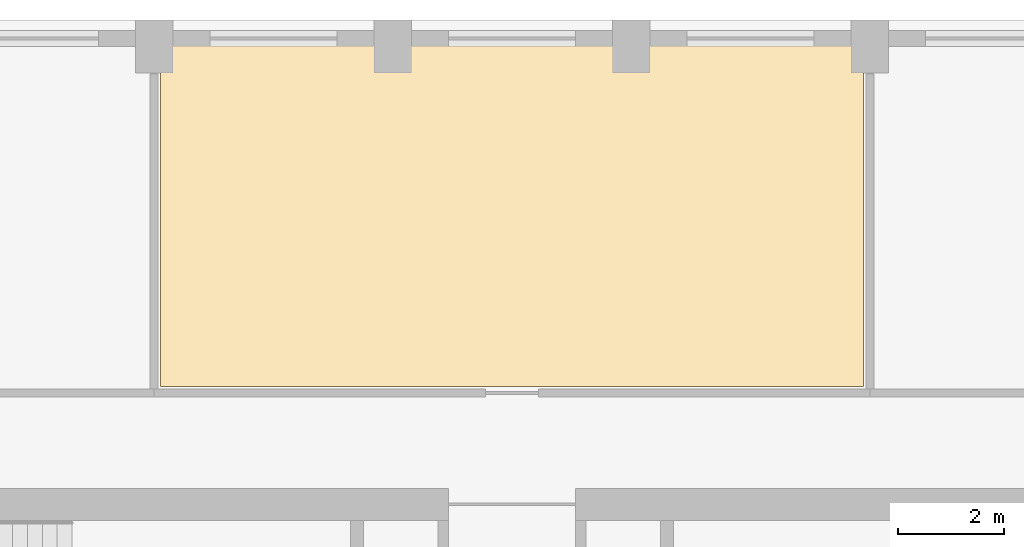
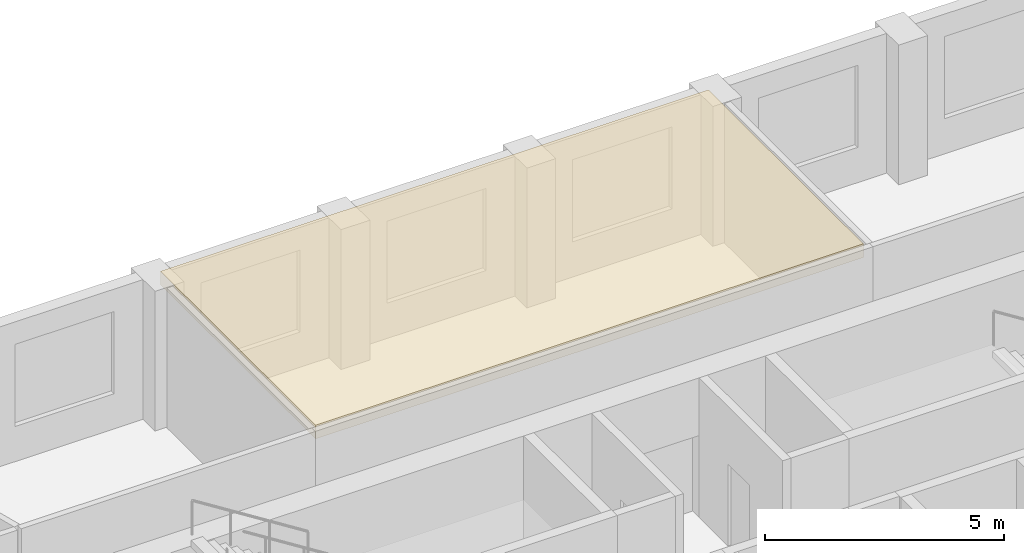
# One storey, part 10 of 10: 1 covering.
"""IFC4 building model written with IfcOpenShell, lengths in metres."""

from ifc_helpers import new_model, si_unit, direction, frame, origin, place, context, subcontext, project, spatial, polyline, outline, extrude, material, layer, layer_set, type_object, element, save


model = new_model("IFC4")

# Units and contexts
model_context = context("Model", 3, precision=1e-05, world=origin(), true_north=direction((0.0, 1.0)))
body_context = subcontext(model_context, "Body", "Model", "MODEL_VIEW")
ifc_project = project(units=[si_unit("LENGTHUNIT", "METRE"), si_unit("AREAUNIT", "SQUARE_METRE"), si_unit("VOLUMEUNIT", "CUBIC_METRE"), si_unit("PLANEANGLEUNIT", "RADIAN"), si_unit("MASSUNIT", "GRAM", prefix="KILO")], contexts=[model_context])

# Site, building, storey
site_placement = place(None, origin())
site = spatial("IfcSite", under=ifc_project, at=site_placement, CompositionType="ELEMENT")
building_placement = place(site_placement, origin())
building = spatial("IfcBuilding", under=site, at=building_placement, Name="Dhurran Vertical Campus", CompositionType="ELEMENT")
storey_placement = place(building_placement, frame((0.0, 0.0, 254.699951171875)))
storey = spatial("IfcBuildingStorey", under=building, at=storey_placement, Name="L63", CompositionType="ELEMENT", Elevation=254.699951171875)

# Covering
ifc_material = material(Name="Mineral fibre ceiling tiles on suspended grid")
ifc_layer = layer(ifc_material, 0.35009765625)
ifc_layer_set = layer_set([ifc_layer], Name="Mineral fibre ceiling tiles on suspended grid")
covering_type = type_object("IfcCoveringType", Name="fl-CE-350 suspended ceiling", PredefinedType="CEILING", material=ifc_layer_set)
covering_placement = place(storey_placement, frame((0.0, 0.0, 3.22509765625)))
element("IfcCovering", 1, at=covering_placement, inside=storey, type_object=covering_type, Name="Ceiling 63-07", PredefinedType="CEILING", context=body_context, shape_type="SweptSolid", body=[
    extrude(outline(polyline([(-6.6298828125, 19.66796875), (6.6298828125, 19.66796875), (6.6298828125, 13.169921875), (-6.6298828125, 13.169921875), (-6.6298828125, 19.66796875)])), origin(), (0.0, 0.0, 1.0), 0.349853515625),
])

save(model, "model.ifc")
